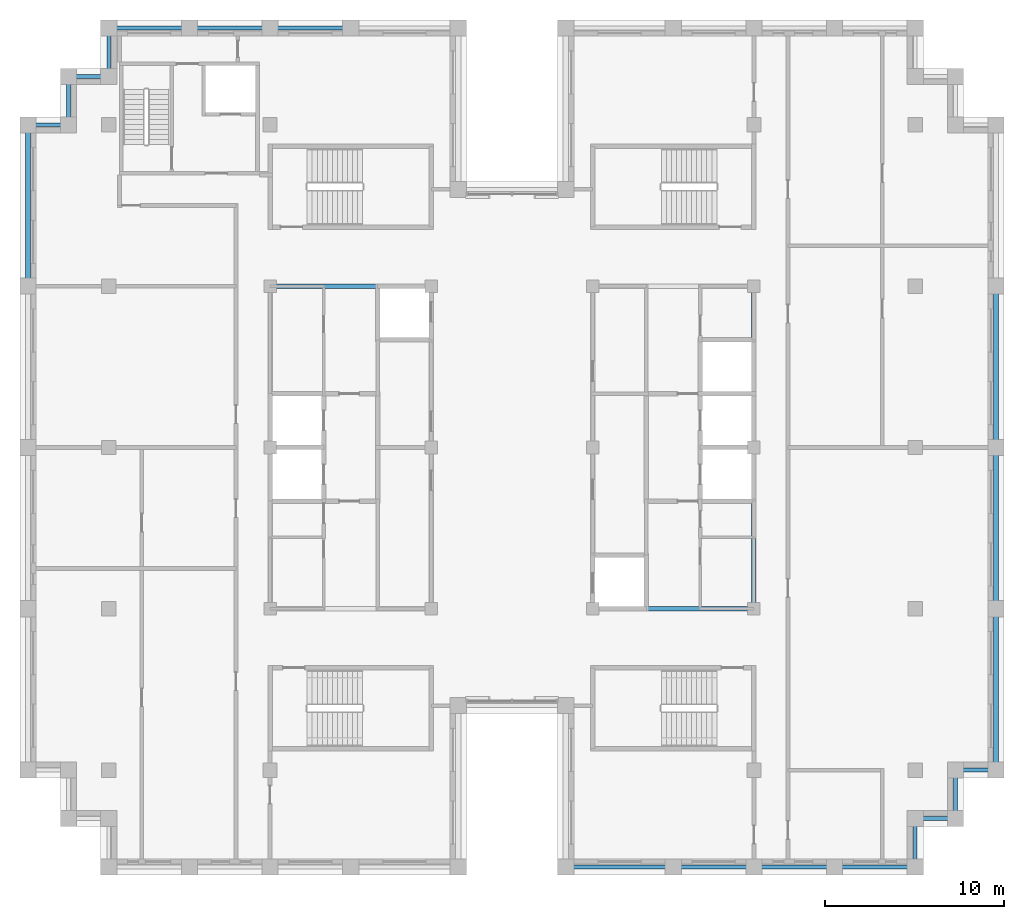
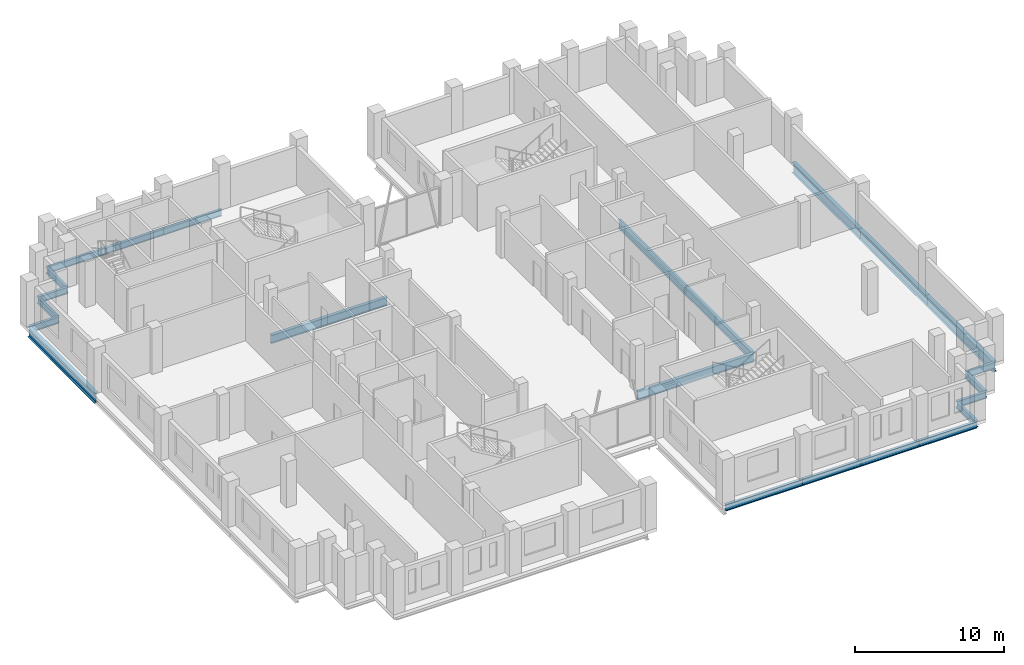
# One storey, part 3 of 13: 23 beams.
"""IFC4 building model written with IfcOpenShell, lengths in metres."""

import ifcopenshell
import ifcopenshell.guid

model = None  # the IFC model being written
_history = None  # IfcOwnerHistory: only IFC2X3 demands one
_inside = {}  # id of a spatial element -> (the spatial element, [elements in it])
_under = {}  # id of a project, library or spatial element -> (it, [spatial elements below it])
_declared = {}  # id of a project -> (the project, [libraries it declares])
_typed = {}  # id of a type object -> (the type object, [elements of that type])
_made_of = {}  # id of a material, layer set ... -> (it, [elements and type objects made of it])


def new_model(schema):
    """Start an empty IFC model of exactly this schema.

    Asked for "IFC4X3", IfcOpenShell would pick the latest addendum, in which some entities
    have other attributes; the version numbers below select the first issue.
    IFC2X3 requires an IfcOwnerHistory on every rooted entity: one is made here for all.
    """
    global model, _history
    if schema == "IFC4X3":
        model = ifcopenshell.file(schema_version=(4, 3, 0, 0))
    else:
        model = ifcopenshell.file(schema=schema)
    _inside.clear()
    _under.clear()
    _declared.clear()
    _typed.clear()
    _made_of.clear()
    _history = None
    if model.schema == "IFC2X3":
        org = make("IfcOrganization", Name="unknown")
        user = make(
            "IfcPersonAndOrganization",
            ThePerson=make("IfcPerson", FamilyName="unknown"),
            TheOrganization=org,
        )
        app = make(
            "IfcApplication",
            ApplicationDeveloper=org,
            Version="unknown",
            ApplicationFullName="unknown",
            ApplicationIdentifier="unknown",
        )
        _history = make(
            "IfcOwnerHistory",
            OwningUser=user,
            OwningApplication=app,
            ChangeAction="ADDED",
            CreationDate=0,
        )
    return model


def make(cls, **values):
    """One entity of the class cls with the attributes given. An attribute that is None is left unset."""
    return model.create_entity(
        cls, **{name: value for name, value in values.items() if value is not None}
    )


def rooted(cls, **values):
    """An entity with a GlobalId (a new one), such as an element, a storey or a relation."""
    return make(cls, GlobalId=ifcopenshell.guid.new(), OwnerHistory=_history, **values)


def si_unit(unit_type, name, prefix=None):
    """IfcSIUnit, for example si_unit("LENGTHUNIT", "METRE", prefix="MILLI")."""
    return make("IfcSIUnit", UnitType=unit_type, Prefix=prefix, Name=name)


def assignment(units):
    """IfcUnitAssignment: the units of a project."""
    return None if units is None else make("IfcUnitAssignment", Units=units)


def point(xyz):
    """IfcCartesianPoint."""
    return None if xyz is None else make("IfcCartesianPoint", Coordinates=xyz)


def direction(xyz):
    """IfcDirection."""
    return None if xyz is None else make("IfcDirection", DirectionRatios=xyz)


def frame(location, z_axis=None, x_axis=None):
    """IfcAxis2Placement3D, a coordinate frame: its origin and axes. An axis left out is left unset."""
    return make(
        "IfcAxis2Placement3D",
        Location=point(location),
        Axis=direction(z_axis),
        RefDirection=direction(x_axis),
    )


def frame_2d(location, x_axis=None):
    """IfcAxis2Placement2D, a coordinate frame in the plane: its origin and x axis."""
    return make(
        "IfcAxis2Placement2D", Location=point(location), RefDirection=direction(x_axis)
    )


def origin():
    """The frame at (0, 0, 0) with its axes left unset."""
    return frame((0.0, 0.0, 0.0))


def origin_2d():
    """The frame at (0, 0) in the plane with its x axis left unset."""
    return frame_2d((0.0, 0.0))


def place(relative_to, where):
    """IfcLocalPlacement: puts the frame where relative to a parent placement (None: the world)."""
    return make(
        "IfcLocalPlacement", PlacementRelTo=relative_to, RelativePlacement=where
    )


def context(
    kind, dimensions, precision=None, world=None, true_north=None, identifier=None
):
    """IfcGeometricRepresentationContext, for example the 3D "Model" context."""
    return make(
        "IfcGeometricRepresentationContext",
        ContextIdentifier=identifier,
        ContextType=kind,
        CoordinateSpaceDimension=dimensions,
        Precision=precision,
        WorldCoordinateSystem=world,
        TrueNorth=true_north,
    )


def subcontext(parent, identifier, kind, view, scale=None):
    """IfcGeometricRepresentationSubContext, for example "Body" below "Model"."""
    return make(
        "IfcGeometricRepresentationSubContext",
        ContextIdentifier=identifier,
        ContextType=kind,
        ParentContext=parent,
        TargetScale=scale,
        TargetView=view,
    )


def project(units=None, contexts=None):
    """IfcProject with its units and contexts."""
    return rooted(
        "IfcProject",
        Name="project",
        RepresentationContexts=contexts,
        UnitsInContext=assignment(units),
    )


def spatial(cls, under=None, at=None, **own):
    """A site, building, storey or space (cls), placed at a placement, below another one or the project."""
    s = rooted(cls, ObjectPlacement=at, **own)
    if under is not None:
        _under.setdefault(under.id(), (under, []))[1].append(s)
    return s


def profile(cls, at=None, kind="AREA", **sizes):
    """A parametric profile (cls). Its sizes go by their IFC names, for example OverallWidth=200.0."""
    return make(cls, ProfileType=kind, Position=at, **sizes)


def i_section(**sizes):
    """IfcIShapeProfileDef."""
    return profile("IfcIShapeProfileDef", **sizes)


def extrude(swept, where, along, depth):
    """IfcExtrudedAreaSolid: the profile swept, set in the frame where, extruded along a direction by depth."""
    return make(
        "IfcExtrudedAreaSolid",
        SweptArea=swept,
        Position=where,
        ExtrudedDirection=direction(along),
        Depth=depth,
    )


def shape(context_of_items, identifier, shape_type, items):
    """IfcShapeRepresentation: the items that make up one representation, for example the "Body"."""
    return make(
        "IfcShapeRepresentation",
        ContextOfItems=context_of_items,
        RepresentationIdentifier=identifier,
        RepresentationType=shape_type,
        Items=items,
    )


def material(Name=None, Category=None):
    """IfcMaterial."""
    return make("IfcMaterial", Name=Name, Category=Category)


def material_profile(
    of_material, cross_section, Name=None, Category=None, Priority=None
):
    """IfcMaterialProfile: a cross section and its material."""
    return make(
        "IfcMaterialProfile",
        Name=Name,
        Material=of_material,
        Profile=cross_section,
        Priority=Priority,
        Category=Category,
    )


def profile_set(profiles, Name=None, composite=None):
    """IfcMaterialProfileSet."""
    return make(
        "IfcMaterialProfileSet",
        Name=Name,
        MaterialProfiles=profiles,
        CompositeProfile=composite,
    )


def made_of(thing, what):
    """Note that an element or type object is made of a material, layer set ...; save() writes the relation."""
    if what is not None:
        _made_of.setdefault(what.id(), (what, []))[1].append(thing)
    return thing


def type_object(cls, material=None, **own):
    """A type object (cls), such as IfcWallType, which elements share."""
    return made_of(rooted(cls, **own), material)


def element(
    cls,
    number,
    at=None,
    inside=None,
    cuts=None,
    type_object=None,
    material=None,
    context=None,
    identifier="Body",
    shape_type=None,
    held_by="IfcProductDefinitionShape",
    body=None,
    shapes=None,
    **own,
):
    """One element of the class cls, such as IfcWall. Its Tag is "e" and its number.

    at: its placement. inside: the storey or other place that contains it. cuts: it is an
    opening in that element (IfcRelVoidsElement). A single representation is given by context,
    identifier, shape_type and body (its items); several are given by shapes. held_by: the class
    of the entity that holds the representations. save() writes the other relations.
    """
    e = rooted(cls, Tag="e%d" % number, ObjectPlacement=at, **own)
    if body is not None:
        shapes = [shape(context, identifier, shape_type, body)]
    if shapes is not None:
        e.Representation = make(held_by, Representations=shapes)
    if inside is not None:
        _inside.setdefault(inside.id(), (inside, []))[1].append(e)
    if cuts is not None:
        rooted(
            "IfcRelVoidsElement", RelatingBuildingElement=cuts, RelatedOpeningElement=e
        )
    if type_object is not None:
        _typed.setdefault(type_object.id(), (type_object, []))[1].append(e)
    return made_of(e, material)


def aggregate(whole, parts):
    """IfcRelAggregates: a whole, such as a stair, and the parts it consists of."""
    return rooted("IfcRelAggregates", RelatingObject=whole, RelatedObjects=parts)


def save(model, path):
    """Write the relations noted so far, then the file.

    IfcRelAggregates (storeys below a building ...), IfcRelContainedInSpatialStructure (elements
    in a storey), IfcRelDefinesByType, IfcRelAssociatesMaterial and IfcRelDeclares: one each for
    every whole, place, type object, material and project.
    """
    for whole, parts in _under.values():
        aggregate(whole, parts)
    for where, things in _inside.values():
        rooted(
            "IfcRelContainedInSpatialStructure",
            RelatedElements=things,
            RelatingStructure=where,
        )
    for kind, things in _typed.values():
        rooted("IfcRelDefinesByType", RelatedObjects=things, RelatingType=kind)
    for what, things in _made_of.values():
        rooted("IfcRelAssociatesMaterial", RelatedObjects=things, RelatingMaterial=what)
    for by, libraries in _declared.values():
        rooted("IfcRelDeclares", RelatingContext=by, RelatedDefinitions=libraries)
    model.write(path)


model = new_model("IFC4")

# Units and contexts
model_context = context("Model", 3, precision=1e-05, world=origin(), true_north=direction((0.0, 1.0)))
body_context = subcontext(model_context, "Body", "Model", "MODEL_VIEW")
ifc_project = project(units=[si_unit("LENGTHUNIT", "METRE"), si_unit("AREAUNIT", "SQUARE_METRE"), si_unit("VOLUMEUNIT", "CUBIC_METRE"), si_unit("PLANEANGLEUNIT", "RADIAN"), si_unit("MASSUNIT", "GRAM", prefix="KILO")], contexts=[model_context])

# Site, building, storey
site_placement = place(None, origin())
site = spatial("IfcSite", under=ifc_project, at=site_placement, CompositionType="ELEMENT")
building_placement = place(site_placement, origin())
building = spatial("IfcBuilding", under=site, at=building_placement, Name="Corbelhall Arena Tower", CompositionType="ELEMENT")
storey_placement = place(building_placement, frame((0.0, 0.0, 312.0)))
storey = spatial("IfcBuildingStorey", under=building, at=storey_placement, Name="L68", CompositionType="ELEMENT", Elevation=312.0)

# Beams
ifc_material = material(Name="Steel ASTM A992 Gr50", Category="steel")
ifc_material_profile_1 = material_profile(ifc_material, i_section(OverallWidth=0.25390625, OverallDepth=0.67822265625, WebThickness=0.01171875, FlangeThickness=0.016357421875, at=origin_2d()))
ifc_profile_set_1 = profile_set([ifc_material_profile_1], Name="Steel ASTM A992 Gr50")
beam_type_1 = type_object("IfcBeamType", Name="ST-BEAM-W27x84", PredefinedType="BEAM", material=ifc_profile_set_1)
for number, where, z_axis, x_axis, name in (
    (1, (-13.5, 9.0, -0.59912109375), (1.0, 0.0, 0.0), (0.0, 1.0, 0.0), "Beam CEW 6"),
    (2, (13.5, -9.0, -0.59912109375), (0.0, 1.0, 0.0), (-1.0, 0.0, 0.0), "Beam CEE 9"),
    (3, (13.5, 0.0, -0.59912109375), (0.0, 1.0, 0.0), (-1.0, 0.0, 0.0), "Beam CEE 10"),
    (4, (4.5, -9.0, -0.59912109375), (1.0, 0.0, 0.0), (0.0, 1.0, 0.0), "Beam CEE 11"),
):
    element("IfcBeam", number, at=place(storey_placement, frame(where, z_axis=z_axis, x_axis=x_axis)), inside=storey, type_object=beam_type_1, Name=name, PredefinedType="BEAM", context=body_context, shape_type="SweptSolid", body=[
        extrude(i_section(OverallWidth=0.25390625, OverallDepth=0.67822265625, WebThickness=0.01171875, FlangeThickness=0.016357421875, at=origin_2d()), origin(), (0.0, 0.0, 1.0), 9.0),
    ])
ifc_material_profile_2 = material_profile(ifc_material, i_section(OverallWidth=0.209228515625, OverallDepth=0.533447265625, WebThickness=0.01025390625, FlangeThickness=0.015625, at=origin_2d()))
ifc_profile_set_2 = profile_set([ifc_material_profile_2], Name="Steel ASTM A992 Gr50")
beam_type_2 = type_object("IfcBeamType", Name="ST-SPANDREL-W21x62", PredefinedType="SPANDREL", material=ifc_profile_set_2)
beam_1_placement = place(storey_placement, frame((27.0, -18.0, -0.526611328125), z_axis=(-1.0, 0.0, 0.0), x_axis=(0.0, -1.0, 0.0)))
element("IfcBeam", 5, at=beam_1_placement, inside=storey, type_object=beam_type_2, Name="Beam SP 5", PredefinedType="SPANDREL", context=body_context, shape_type="SweptSolid", body=[
    extrude(i_section(OverallWidth=0.209228515625, OverallDepth=0.533447265625, WebThickness=0.01025390625, FlangeThickness=0.015625, at=origin_2d()), origin(), (0.0, 0.0, 1.0), 2.25),
])
for number, where, z_axis, x_axis, name in (
    (6, (-13.5, 23.39990234375, -0.526611328125), (1.0, 0.0, 0.0), (0.0, 1.0, 0.0), "Beam SP 13"),
    (7, (-18.0, 23.39990234375, -0.526611328125), (1.0, 0.0, 0.0), (0.0, 1.0, 0.0), "Beam SP 14"),
    (8, (-22.5, 23.39990234375, -0.526611328125), (1.0, 0.0, 0.0), (0.0, 1.0, 0.0), "Beam SP 15"),
):
    element("IfcBeam", number, at=place(storey_placement, frame(where, z_axis=z_axis, x_axis=x_axis)), inside=storey, type_object=beam_type_2, Name=name, PredefinedType="SPANDREL", context=body_context, shape_type="SweptSolid", body=[
        extrude(i_section(OverallWidth=0.209228515625, OverallDepth=0.533447265625, WebThickness=0.01025390625, FlangeThickness=0.015625, at=origin_2d()), origin(), (0.0, 0.0, 1.0), 4.5),
    ])
beam_2_placement = place(storey_placement, frame((9.0, -23.39990234375, -0.526611328125), z_axis=(-1.0, 0.0, 0.0), x_axis=(0.0, -1.0, 0.0)))
element("IfcBeam", 9, at=beam_2_placement, inside=storey, type_object=beam_type_2, Name="Beam SP 17", PredefinedType="SPANDREL", context=body_context, shape_type="SweptSolid", body=[
    extrude(i_section(OverallWidth=0.209228515625, OverallDepth=0.533447265625, WebThickness=0.01025390625, FlangeThickness=0.015625, at=origin_2d()), origin(), (0.0, 0.0, 1.0), 6.0),
])
for number, where, z_axis, x_axis, name in (
    (10, (13.5, -23.39990234375, -0.526611328125), (-1.0, 0.0, 0.0), (0.0, -1.0, 0.0), "Beam SP 18"),
    (11, (18.0, -23.39990234375, -0.526611328125), (-1.0, 0.0, 0.0), (0.0, -1.0, 0.0), "Beam SP 19"),
    (12, (22.5, -23.39990234375, -0.526611328125), (-1.0, 0.0, 0.0), (0.0, -1.0, 0.0), "Beam SP 20"),
):
    element("IfcBeam", number, at=place(storey_placement, frame(where, z_axis=z_axis, x_axis=x_axis)), inside=storey, type_object=beam_type_2, Name=name, PredefinedType="SPANDREL", context=body_context, shape_type="SweptSolid", body=[
        extrude(i_section(OverallWidth=0.209228515625, OverallDepth=0.533447265625, WebThickness=0.01025390625, FlangeThickness=0.015625, at=origin_2d()), origin(), (0.0, 0.0, 1.0), 4.5),
    ])
beam_3_placement = place(storey_placement, frame((-27.0, 18.0, -0.526611328125), z_axis=(1.0, 0.0, 0.0), x_axis=(0.0, 1.0, 0.0)))
element("IfcBeam", 13, at=beam_3_placement, inside=storey, type_object=beam_type_2, Name="Beam SP 28", PredefinedType="SPANDREL", context=body_context, shape_type="SweptSolid", body=[
    extrude(i_section(OverallWidth=0.209228515625, OverallDepth=0.533447265625, WebThickness=0.01025390625, FlangeThickness=0.015625, at=origin_2d()), origin(), (0.0, 0.0, 1.0), 2.25),
])
beam_4_placement = place(storey_placement, frame((-22.5, 20.699951171875, -0.526611328125), z_axis=(0.0, 1.0, 0.0), x_axis=(-1.0, 0.0, 0.0)))
element("IfcBeam", 14, at=beam_4_placement, inside=storey, type_object=beam_type_2, Name="Beam SP 38", PredefinedType="SPANDREL", context=body_context, shape_type="SweptSolid", body=[
    extrude(i_section(OverallWidth=0.209228515625, OverallDepth=0.533447265625, WebThickness=0.01025390625, FlangeThickness=0.015625, at=origin_2d()), origin(), (0.0, 0.0, 1.0), 2.699951171875),
])
beam_5_placement = place(storey_placement, frame((-24.75, 20.699951171875, -0.526611328125), z_axis=(1.0, 0.0, 0.0), x_axis=(0.0, 1.0, 0.0)))
element("IfcBeam", 15, at=beam_5_placement, inside=storey, type_object=beam_type_2, Name="Beam SP 39", PredefinedType="SPANDREL", context=body_context, shape_type="SweptSolid", body=[
    extrude(i_section(OverallWidth=0.209228515625, OverallDepth=0.533447265625, WebThickness=0.01025390625, FlangeThickness=0.015625, at=origin_2d()), origin(), (0.0, 0.0, 1.0), 2.25),
])
for number, where, z_axis, x_axis, name in (
    (16, (-24.75, 18.0, -0.526611328125), (0.0, 1.0, 0.0), (-1.0, 0.0, 0.0), "Beam SP 40"),
    (17, (22.5, -20.699951171875, -0.526611328125), (0.0, -1.0, 0.0), (1.0, 0.0, 0.0), "Beam SP 41"),
):
    element("IfcBeam", number, at=place(storey_placement, frame(where, z_axis=z_axis, x_axis=x_axis)), inside=storey, type_object=beam_type_2, Name=name, PredefinedType="SPANDREL", context=body_context, shape_type="SweptSolid", body=[
        extrude(i_section(OverallWidth=0.209228515625, OverallDepth=0.533447265625, WebThickness=0.01025390625, FlangeThickness=0.015625, at=origin_2d()), origin(), (0.0, 0.0, 1.0), 2.699951171875),
    ])
beam_6_placement = place(storey_placement, frame((24.75, -20.699951171875, -0.526611328125), z_axis=(-1.0, 0.0, 0.0), x_axis=(0.0, -1.0, 0.0)))
element("IfcBeam", 18, at=beam_6_placement, inside=storey, type_object=beam_type_2, Name="Beam SP 42", PredefinedType="SPANDREL", context=body_context, shape_type="SweptSolid", body=[
    extrude(i_section(OverallWidth=0.209228515625, OverallDepth=0.533447265625, WebThickness=0.01025390625, FlangeThickness=0.015625, at=origin_2d()), origin(), (0.0, 0.0, 1.0), 2.25),
])
beam_7_placement = place(storey_placement, frame((24.75, -18.0, -0.526611328125), z_axis=(0.0, -1.0, 0.0), x_axis=(1.0, 0.0, 0.0)))
element("IfcBeam", 19, at=beam_7_placement, inside=storey, type_object=beam_type_2, Name="Beam SP 43", PredefinedType="SPANDREL", context=body_context, shape_type="SweptSolid", body=[
    extrude(i_section(OverallWidth=0.209228515625, OverallDepth=0.533447265625, WebThickness=0.01025390625, FlangeThickness=0.015625, at=origin_2d()), origin(), (0.0, 0.0, 1.0), 2.699951171875),
])
ifc_material_profile_3 = material_profile(ifc_material, i_section(OverallWidth=0.2919921875, OverallDepth=0.845703125, WebThickness=0.015380859375, FlangeThickness=0.0244140625, at=origin_2d()))
ifc_profile_set_3 = profile_set([ifc_material_profile_3], Name="Steel ASTM A992 Gr50")
beam_type_3 = type_object("IfcBeamType", Name="ST-SPANDREL-W33x141", PredefinedType="SPANDREL", material=ifc_profile_set_3)
for number, where, z_axis, x_axis, name in (
    (20, (27.0, 0.0, -0.682861328125), (0.0, -1.0, 0.0), (1.0, 0.0, 0.0), "Beam SP 1"),
    (21, (27.0, 9.0, -0.682861328125), (0.0, -1.0, 0.0), (1.0, 0.0, 0.0), "Beam SP 2"),
    (22, (27.0, -9.0, -0.682861328125), (0.0, -1.0, 0.0), (1.0, 0.0, 0.0), "Beam SP 4"),
    (23, (-27.0, 9.0, -0.682861328125), (0.0, 1.0, 0.0), (-1.0, 0.0, 0.0), "Beam SP 27"),
):
    element("IfcBeam", number, at=place(storey_placement, frame(where, z_axis=z_axis, x_axis=x_axis)), inside=storey, type_object=beam_type_3, Name=name, PredefinedType="SPANDREL", context=body_context, shape_type="SweptSolid", body=[
        extrude(i_section(OverallWidth=0.2919921875, OverallDepth=0.845703125, WebThickness=0.015380859375, FlangeThickness=0.0244140625, at=origin_2d()), origin(), (0.0, 0.0, 1.0), 9.0),
    ])

save(model, "model.ifc")
